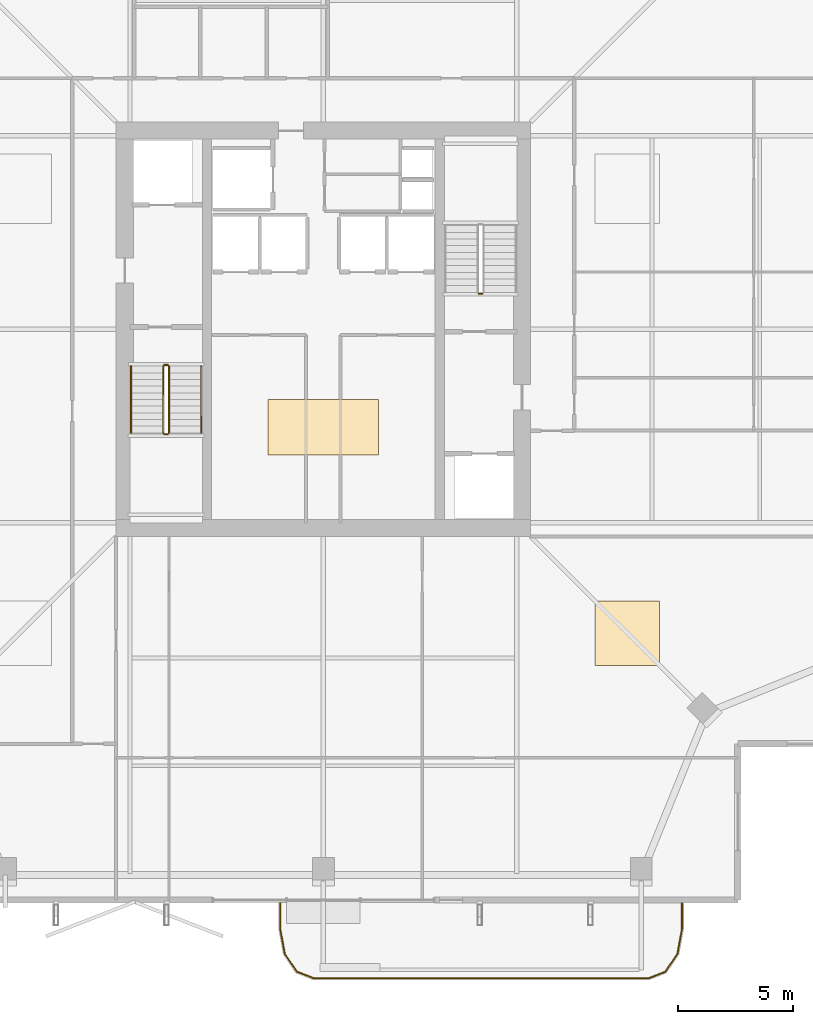
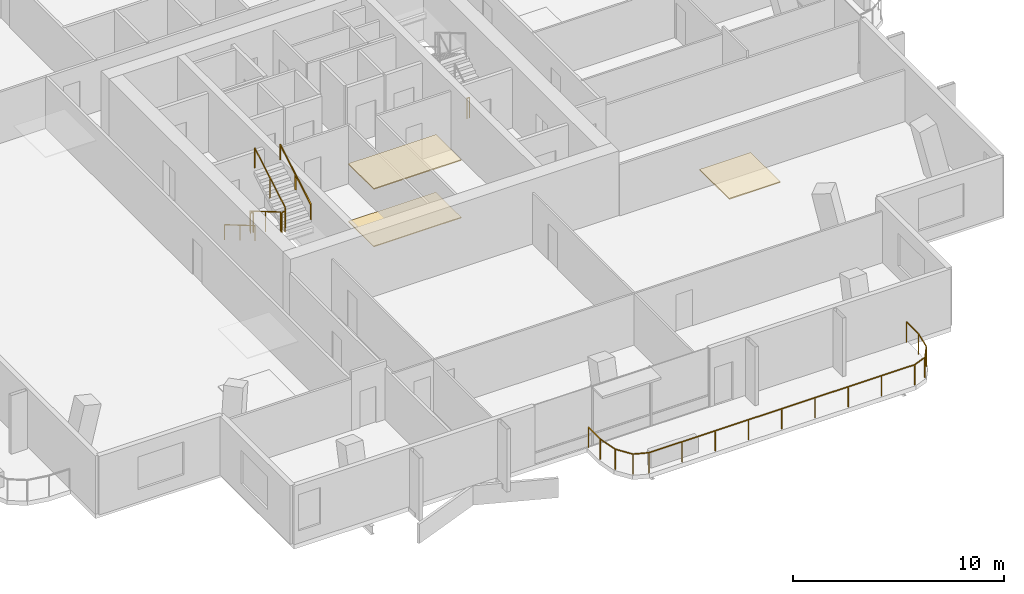
# One storey, part 23 of 25: 8 railings, 3 coverings.
"""IFC4 building model written with IfcOpenShell, lengths in metres."""

import ifcopenshell
import ifcopenshell.guid

model = None  # the IFC model being written
_history = None  # IfcOwnerHistory: only IFC2X3 demands one
_inside = {}  # id of a spatial element -> (the spatial element, [elements in it])
_under = {}  # id of a project, library or spatial element -> (it, [spatial elements below it])
_declared = {}  # id of a project -> (the project, [libraries it declares])
_typed = {}  # id of a type object -> (the type object, [elements of that type])
_made_of = {}  # id of a material, layer set ... -> (it, [elements and type objects made of it])


def new_model(schema):
    """Start an empty IFC model of exactly this schema.

    Asked for "IFC4X3", IfcOpenShell would pick the latest addendum, in which some entities
    have other attributes; the version numbers below select the first issue.
    IFC2X3 requires an IfcOwnerHistory on every rooted entity: one is made here for all.
    """
    global model, _history
    if schema == "IFC4X3":
        model = ifcopenshell.file(schema_version=(4, 3, 0, 0))
    else:
        model = ifcopenshell.file(schema=schema)
    _inside.clear()
    _under.clear()
    _declared.clear()
    _typed.clear()
    _made_of.clear()
    _history = None
    if model.schema == "IFC2X3":
        org = make("IfcOrganization", Name="unknown")
        user = make(
            "IfcPersonAndOrganization",
            ThePerson=make("IfcPerson", FamilyName="unknown"),
            TheOrganization=org,
        )
        app = make(
            "IfcApplication",
            ApplicationDeveloper=org,
            Version="unknown",
            ApplicationFullName="unknown",
            ApplicationIdentifier="unknown",
        )
        _history = make(
            "IfcOwnerHistory",
            OwningUser=user,
            OwningApplication=app,
            ChangeAction="ADDED",
            CreationDate=0,
        )
    return model


def make(cls, **values):
    """One entity of the class cls with the attributes given. An attribute that is None is left unset."""
    return model.create_entity(
        cls, **{name: value for name, value in values.items() if value is not None}
    )


def rooted(cls, **values):
    """An entity with a GlobalId (a new one), such as an element, a storey or a relation."""
    return make(cls, GlobalId=ifcopenshell.guid.new(), OwnerHistory=_history, **values)


def si_unit(unit_type, name, prefix=None):
    """IfcSIUnit, for example si_unit("LENGTHUNIT", "METRE", prefix="MILLI")."""
    return make("IfcSIUnit", UnitType=unit_type, Prefix=prefix, Name=name)


def assignment(units):
    """IfcUnitAssignment: the units of a project."""
    return None if units is None else make("IfcUnitAssignment", Units=units)


def point(xyz):
    """IfcCartesianPoint."""
    return None if xyz is None else make("IfcCartesianPoint", Coordinates=xyz)


def direction(xyz):
    """IfcDirection."""
    return None if xyz is None else make("IfcDirection", DirectionRatios=xyz)


def frame(location, z_axis=None, x_axis=None):
    """IfcAxis2Placement3D, a coordinate frame: its origin and axes. An axis left out is left unset."""
    return make(
        "IfcAxis2Placement3D",
        Location=point(location),
        Axis=direction(z_axis),
        RefDirection=direction(x_axis),
    )


def frame_2d(location, x_axis=None):
    """IfcAxis2Placement2D, a coordinate frame in the plane: its origin and x axis."""
    return make(
        "IfcAxis2Placement2D", Location=point(location), RefDirection=direction(x_axis)
    )


def origin():
    """The frame at (0, 0, 0) with its axes left unset."""
    return frame((0.0, 0.0, 0.0))


def origin_2d():
    """The frame at (0, 0) in the plane with its x axis left unset."""
    return frame_2d((0.0, 0.0))


def place(relative_to, where):
    """IfcLocalPlacement: puts the frame where relative to a parent placement (None: the world)."""
    return make(
        "IfcLocalPlacement", PlacementRelTo=relative_to, RelativePlacement=where
    )


def context(
    kind, dimensions, precision=None, world=None, true_north=None, identifier=None
):
    """IfcGeometricRepresentationContext, for example the 3D "Model" context."""
    return make(
        "IfcGeometricRepresentationContext",
        ContextIdentifier=identifier,
        ContextType=kind,
        CoordinateSpaceDimension=dimensions,
        Precision=precision,
        WorldCoordinateSystem=world,
        TrueNorth=true_north,
    )


def subcontext(parent, identifier, kind, view, scale=None):
    """IfcGeometricRepresentationSubContext, for example "Body" below "Model"."""
    return make(
        "IfcGeometricRepresentationSubContext",
        ContextIdentifier=identifier,
        ContextType=kind,
        ParentContext=parent,
        TargetScale=scale,
        TargetView=view,
    )


def project(units=None, contexts=None):
    """IfcProject with its units and contexts."""
    return rooted(
        "IfcProject",
        Name="project",
        RepresentationContexts=contexts,
        UnitsInContext=assignment(units),
    )


def spatial(cls, under=None, at=None, **own):
    """A site, building, storey or space (cls), placed at a placement, below another one or the project."""
    s = rooted(cls, ObjectPlacement=at, **own)
    if under is not None:
        _under.setdefault(under.id(), (under, []))[1].append(s)
    return s


def polyline(points):
    """IfcPolyline through the points."""
    return make("IfcPolyline", Points=[point(p) for p in points])


def profile(cls, at=None, kind="AREA", **sizes):
    """A parametric profile (cls). Its sizes go by their IFC names, for example OverallWidth=200.0."""
    return make(cls, ProfileType=kind, Position=at, **sizes)


def rectangle(**sizes):
    """IfcRectangleProfileDef."""
    return profile("IfcRectangleProfileDef", **sizes)


def outline(outer, holes=None, kind="AREA"):
    """IfcArbitraryClosedProfileDef: a profile drawn as a closed curve; with holes, ...WithVoids."""
    if holes is None:
        return make("IfcArbitraryClosedProfileDef", ProfileType=kind, OuterCurve=outer)
    return make(
        "IfcArbitraryProfileDefWithVoids",
        ProfileType=kind,
        OuterCurve=outer,
        InnerCurves=holes,
    )


def extrude(swept, where, along, depth):
    """IfcExtrudedAreaSolid: the profile swept, set in the frame where, extruded along a direction by depth."""
    return make(
        "IfcExtrudedAreaSolid",
        SweptArea=swept,
        Position=where,
        ExtrudedDirection=direction(along),
        Depth=depth,
    )


def shape(context_of_items, identifier, shape_type, items):
    """IfcShapeRepresentation: the items that make up one representation, for example the "Body"."""
    return make(
        "IfcShapeRepresentation",
        ContextOfItems=context_of_items,
        RepresentationIdentifier=identifier,
        RepresentationType=shape_type,
        Items=items,
    )


def material(Name=None, Category=None):
    """IfcMaterial."""
    return make("IfcMaterial", Name=Name, Category=Category)


def layer(
    of_material, thickness, ventilated=None, Name=None, Category=None, Priority=None
):
    """IfcMaterialLayer: one layer of a wall or slab, of a material (None: an air gap)."""
    return make(
        "IfcMaterialLayer",
        Material=of_material,
        LayerThickness=thickness,
        IsVentilated=ventilated,
        Name=Name,
        Category=Category,
        Priority=Priority,
    )


def layer_set(layers, Name=None):
    """IfcMaterialLayerSet."""
    return make("IfcMaterialLayerSet", MaterialLayers=layers, LayerSetName=Name)


def made_of(thing, what):
    """Note that an element or type object is made of a material, layer set ...; save() writes the relation."""
    if what is not None:
        _made_of.setdefault(what.id(), (what, []))[1].append(thing)
    return thing


def type_object(cls, material=None, **own):
    """A type object (cls), such as IfcWallType, which elements share."""
    return made_of(rooted(cls, **own), material)


def element(
    cls,
    number,
    at=None,
    inside=None,
    cuts=None,
    type_object=None,
    material=None,
    context=None,
    identifier="Body",
    shape_type=None,
    held_by="IfcProductDefinitionShape",
    body=None,
    shapes=None,
    **own,
):
    """One element of the class cls, such as IfcWall. Its Tag is "e" and its number.

    at: its placement. inside: the storey or other place that contains it. cuts: it is an
    opening in that element (IfcRelVoidsElement). A single representation is given by context,
    identifier, shape_type and body (its items); several are given by shapes. held_by: the class
    of the entity that holds the representations. save() writes the other relations.
    """
    e = rooted(cls, Tag="e%d" % number, ObjectPlacement=at, **own)
    if body is not None:
        shapes = [shape(context, identifier, shape_type, body)]
    if shapes is not None:
        e.Representation = make(held_by, Representations=shapes)
    if inside is not None:
        _inside.setdefault(inside.id(), (inside, []))[1].append(e)
    if cuts is not None:
        rooted(
            "IfcRelVoidsElement", RelatingBuildingElement=cuts, RelatedOpeningElement=e
        )
    if type_object is not None:
        _typed.setdefault(type_object.id(), (type_object, []))[1].append(e)
    return made_of(e, material)


def aggregate(whole, parts):
    """IfcRelAggregates: a whole, such as a stair, and the parts it consists of."""
    return rooted("IfcRelAggregates", RelatingObject=whole, RelatedObjects=parts)


def save(model, path):
    """Write the relations noted so far, then the file.

    IfcRelAggregates (storeys below a building ...), IfcRelContainedInSpatialStructure (elements
    in a storey), IfcRelDefinesByType, IfcRelAssociatesMaterial and IfcRelDeclares: one each for
    every whole, place, type object, material and project.
    """
    for whole, parts in _under.values():
        aggregate(whole, parts)
    for where, things in _inside.values():
        rooted(
            "IfcRelContainedInSpatialStructure",
            RelatedElements=things,
            RelatingStructure=where,
        )
    for kind, things in _typed.values():
        rooted("IfcRelDefinesByType", RelatedObjects=things, RelatingType=kind)
    for what, things in _made_of.values():
        rooted("IfcRelAssociatesMaterial", RelatedObjects=things, RelatingMaterial=what)
    for by, libraries in _declared.values():
        rooted("IfcRelDeclares", RelatingContext=by, RelatedDefinitions=libraries)
    model.write(path)


model = new_model("IFC4")

# Units and contexts
model_context = context("Model", 3, precision=1e-05, world=origin(), true_north=direction((0.0, 1.0)))
body_context = subcontext(model_context, "Body", "Model", "MODEL_VIEW")
ifc_project = project(units=[si_unit("LENGTHUNIT", "METRE"), si_unit("AREAUNIT", "SQUARE_METRE"), si_unit("VOLUMEUNIT", "CUBIC_METRE"), si_unit("PLANEANGLEUNIT", "RADIAN"), si_unit("MASSUNIT", "GRAM", prefix="KILO")], contexts=[model_context])

# Site, building, storey
site_placement = place(None, origin())
site = spatial("IfcSite", under=ifc_project, at=site_placement, CompositionType="ELEMENT")
building_placement = place(site_placement, origin())
building = spatial("IfcBuilding", under=site, at=building_placement, Name="Belovzor Exchange Tower", CompositionType="ELEMENT")
storey_placement = place(building_placement, frame((0.0, 0.0, 280.35009765625)))
storey = spatial("IfcBuildingStorey", under=building, at=storey_placement, Name="L70", CompositionType="ELEMENT", Elevation=280.35009765625)

# Railings
ifc_material_1 = material(Name="Stainless Steel Grade 304", Category="steel")
railing_type_1 = type_object("IfcRailingType", Name="Brushed Stainless Steel Stair Handrail 900", PredefinedType="HANDRAIL", material=ifc_material_1)
railing_1_placement = place(storey_placement, frame((20.449951171875, 27.199951171875, 0.17041015625)))
element("IfcRailing", 1, at=railing_1_placement, inside=storey, type_object=railing_type_1, Name="L70 ST-1 stair handrail 1", PredefinedType="HANDRAIL", context=body_context, shape_type="SweptSolid", body=[
    extrude(rectangle(XDim=0.048095703125, YDim=0.048095703125, at=origin_2d()), frame((0.0, 0.0, 0.8759765625), z_axis=(0.0, -0.86209462966, 0.506747323142), x_axis=(1.0, 0.0, 0.0)), (0.0, 0.0, 1.0), 3.36376953125),
    extrude(rectangle(XDim=0.0419921875, YDim=0.0419921875, at=origin_2d()), origin(), (0.0, 0.0, 1.0), 0.851806640625),
    extrude(rectangle(XDim=0.0419921875, YDim=0.0419921875, at=origin_2d()), frame((0.0, -1.449951171875, 0.852294921875)), (0.0, 0.0, 1.0), 0.851806640625),
    extrude(rectangle(XDim=0.0419921875, YDim=0.0419921875, at=origin_2d()), frame((0.0, -2.89990234375, 1.70458984375)), (0.0, 0.0, 1.0), 0.851806640625),
])
railing_2_placement = place(storey_placement, frame((23.5, 24.300048828125, 2.04541015625)))
element("IfcRailing", 2, at=railing_2_placement, inside=storey, type_object=railing_type_1, Name="L70 ST-1 stair handrail 2", PredefinedType="HANDRAIL", context=body_context, shape_type="SweptSolid", body=[
    extrude(rectangle(XDim=0.048095703125, YDim=0.048095703125, at=origin_2d()), frame((0.0, 0.0, 0.8759765625), z_axis=(0.0, 0.86209462966, 0.506747323142), x_axis=(-1.0, 0.0, 0.0)), (0.0, 0.0, 1.0), 3.36376953125),
    extrude(rectangle(XDim=0.0419921875, YDim=0.0419921875, at=origin_2d()), origin(), (0.0, 0.0, 1.0), 0.851806640625),
    extrude(rectangle(XDim=0.0419921875, YDim=0.0419921875, at=origin_2d()), frame((0.0, 1.449951171875, 0.852294921875)), (0.0, 0.0, 1.0), 0.851806640625),
    extrude(rectangle(XDim=0.0419921875, YDim=0.0419921875, at=origin_2d()), frame((0.0, 2.89990234375, 1.70458984375)), (0.0, 0.0, 1.0), 0.851806640625),
])
ifc_material_2 = material(Name="Stainless Steel and Laminated Safety Glass", Category="steel")
railing_type_2 = type_object("IfcRailingType", Name="Laminated Glass & Stainless Steel Balcony Balustrade 1200", PredefinedType="BALUSTRADE", material=ifc_material_2)
railing_3_placement = place(storey_placement, frame((26.929931640625, 3.889892578125, 0.0)))
element("IfcRailing", 3, at=railing_3_placement, inside=storey, type_object=railing_type_2, Name="GR-1 Balcony Balustrade L70 South", PredefinedType="BALUSTRADE", context=body_context, shape_type="SweptSolid", body=[
    extrude(rectangle(XDim=0.048095703125, YDim=0.048095703125, at=origin_2d()), frame((0.0, 0.0, 1.17578125), z_axis=(0.0, -1.0, 0.0), x_axis=(1.0, 0.0, 0.0)), (0.0, 0.0, 1.0), 1.1328125),
    extrude(rectangle(XDim=0.048095703125, YDim=0.048095703125, at=origin_2d()), frame((0.0, -1.1328125, 1.17578125), z_axis=(0.180083182347, -0.983651385113, 0.0), x_axis=(0.983651385113, 0.180083182347, 0.0)), (0.0, 0.0, 1.0), 1.093994140625),
    extrude(rectangle(XDim=0.048095703125, YDim=0.048095703125, at=origin_2d()), frame((0.197021484375, -2.208984375, 1.17578125), z_axis=(0.56294695933, -0.826493025367, 0.0), x_axis=(0.826493025367, 0.56294695933, 0.0)), (0.0, 0.0, 1.0), 0.932861328125),
    extrude(rectangle(XDim=0.048095703125, YDim=0.048095703125, at=origin_2d()), frame((0.72216796875, -2.97998046875, 1.17578125), z_axis=(0.930766990125, -0.365612923861, 0.0), x_axis=(0.365612923861, 0.930766990125, 0.0)), (0.0, 0.0, 1.0), 0.765869140625),
    extrude(rectangle(XDim=0.048095703125, YDim=0.048095703125, at=origin_2d()), frame((1.43505859375, -3.260009765625, 1.17578125), z_axis=(1.0, 0.0, 0.0), x_axis=(0.0, 1.0, 0.0)), (0.0, 0.0, 1.0), 14.570068359375),
    extrude(rectangle(XDim=0.048095703125, YDim=0.048095703125, at=origin_2d()), frame((16.005126953125, -3.260009765625, 1.17578125), z_axis=(0.930766990125, 0.365612923861, 0.0), x_axis=(-0.365612923861, 0.930766990125, 0.0)), (0.0, 0.0, 1.0), 0.765869140625),
    extrude(rectangle(XDim=0.048095703125, YDim=0.048095703125, at=origin_2d()), frame((16.718017578125, -2.97998046875, 1.17578125), z_axis=(0.56294695933, 0.826493025367, 0.0), x_axis=(-0.826493025367, 0.56294695933, 0.0)), (0.0, 0.0, 1.0), 0.932861328125),
    extrude(rectangle(XDim=0.048095703125, YDim=0.048095703125, at=origin_2d()), frame((17.2431640625, -2.208984375, 1.17578125), z_axis=(0.180083182347, 0.983651385113, 0.0), x_axis=(-0.983651385113, 0.180083182347, 0.0)), (0.0, 0.0, 1.0), 1.093994140625),
    extrude(rectangle(XDim=0.048095703125, YDim=0.048095703125, at=origin_2d()), frame((17.440185546875, -1.1328125, 1.17578125), z_axis=(0.0, 1.0, 0.0), x_axis=(-1.0, 0.0, 0.0)), (0.0, 0.0, 1.0), 1.1328125),
    extrude(rectangle(XDim=0.0419921875, YDim=0.0419921875, at=origin_2d()), origin(), (0.0, 0.0, 1.0), 1.15185546875),
    extrude(rectangle(XDim=0.0419921875, YDim=0.0419921875, at=origin_2d()), frame((0.0, -1.1328125, 0.0)), (0.0, 0.0, 1.0), 1.15185546875),
    extrude(rectangle(XDim=0.0419921875, YDim=0.0419921875, at=origin_2d()), frame((0.197021484375, -2.208984375, 0.0)), (0.0, 0.0, 1.0), 1.15185546875),
    extrude(rectangle(XDim=0.0419921875, YDim=0.0419921875, at=origin_2d()), frame((0.72216796875, -2.97998046875, 0.0)), (0.0, 0.0, 1.0), 1.15185546875),
    extrude(rectangle(XDim=0.0419921875, YDim=0.0419921875, at=origin_2d()), frame((1.43505859375, -3.260009765625, 0.0)), (0.0, 0.0, 1.0), 1.15185546875),
    extrude(rectangle(XDim=0.0419921875, YDim=0.0419921875, at=origin_2d()), frame((3.25634765625, -3.260009765625, 0.0)), (0.0, 0.0, 1.0), 1.15185546875),
    extrude(rectangle(XDim=0.0419921875, YDim=0.0419921875, at=origin_2d()), frame((5.07763671875, -3.260009765625, 0.0)), (0.0, 0.0, 1.0), 1.15185546875),
    extrude(rectangle(XDim=0.0419921875, YDim=0.0419921875, at=origin_2d()), frame((6.89892578125, -3.260009765625, 0.0)), (0.0, 0.0, 1.0), 1.15185546875),
    extrude(rectangle(XDim=0.0419921875, YDim=0.0419921875, at=origin_2d()), frame((8.72021484375, -3.260009765625, 0.0)), (0.0, 0.0, 1.0), 1.15185546875),
    extrude(rectangle(XDim=0.0419921875, YDim=0.0419921875, at=origin_2d()), frame((10.541259765625, -3.260009765625, 0.0)), (0.0, 0.0, 1.0), 1.15185546875),
    extrude(rectangle(XDim=0.0419921875, YDim=0.0419921875, at=origin_2d()), frame((12.362548828125, -3.260009765625, 0.0)), (0.0, 0.0, 1.0), 1.15185546875),
    extrude(rectangle(XDim=0.0419921875, YDim=0.0419921875, at=origin_2d()), frame((14.183837890625, -3.260009765625, 0.0)), (0.0, 0.0, 1.0), 1.15185546875),
    extrude(rectangle(XDim=0.0419921875, YDim=0.0419921875, at=origin_2d()), frame((16.005126953125, -3.260009765625, 0.0)), (0.0, 0.0, 1.0), 1.15185546875),
    extrude(rectangle(XDim=0.0419921875, YDim=0.0419921875, at=origin_2d()), frame((16.718017578125, -2.97998046875, 0.0)), (0.0, 0.0, 1.0), 1.15185546875),
    extrude(rectangle(XDim=0.0419921875, YDim=0.0419921875, at=origin_2d()), frame((17.2431640625, -2.208984375, 0.0)), (0.0, 0.0, 1.0), 1.15185546875),
    extrude(rectangle(XDim=0.0419921875, YDim=0.0419921875, at=origin_2d()), frame((17.440185546875, -1.1328125, 0.0)), (0.0, 0.0, 1.0), 1.15185546875),
    extrude(rectangle(XDim=0.0419921875, YDim=0.0419921875, at=origin_2d()), frame((17.440185546875, 0.0, 0.0)), (0.0, 0.0, 1.0), 1.15185546875),
])
ifc_material_3 = material(Name="Steel S355", Category="steel")
railing_type_3 = type_object("IfcRailingType", Name="Painted Steel Stairwell Guardrail 1200", PredefinedType="GUARDRAIL", material=ifc_material_3)
railing_4_placement = place(storey_placement, frame((21.85009765625, 27.199951171875, 0.17041015625)))
element("IfcRailing", 4, at=railing_4_placement, inside=storey, type_object=railing_type_3, Name="L70 ST-1 stair guard 1", PredefinedType="GUARDRAIL", context=body_context, shape_type="SweptSolid", body=[
    extrude(rectangle(XDim=0.048095703125, YDim=0.048095703125, at=origin_2d()), frame((0.0, 0.0, 1.17578125), z_axis=(0.0, -0.86209462966, 0.506747323142), x_axis=(1.0, 0.0, 0.0)), (0.0, 0.0, 1.0), 3.36376953125),
    extrude(rectangle(XDim=0.0419921875, YDim=0.0419921875, at=origin_2d()), origin(), (0.0, 0.0, 1.0), 1.15185546875),
    extrude(rectangle(XDim=0.0419921875, YDim=0.0419921875, at=origin_2d()), frame((0.0, -1.449951171875, 0.852294921875)), (0.0, 0.0, 1.0), 1.15185546875),
    extrude(rectangle(XDim=0.0419921875, YDim=0.0419921875, at=origin_2d()), frame((0.0, -2.89990234375, 1.70458984375)), (0.0, 0.0, 1.0), 1.15185546875),
])
railing_5_placement = place(storey_placement, frame((21.89990234375, 24.25, 1.875)))
element("IfcRailing", 5, at=railing_5_placement, inside=storey, type_object=railing_type_3, Name="L70 ST-1 stair guard 2", PredefinedType="GUARDRAIL", context=body_context, shape_type="SweptSolid", body=[
    extrude(rectangle(XDim=0.048095703125, YDim=0.048095703125, at=origin_2d()), frame((0.0, 0.0, 1.17578125), z_axis=(1.0, 0.0, 0.0), x_axis=(0.0, 1.0, 0.0)), (0.0, 0.0, 1.0), 0.150146484375),
    extrude(rectangle(XDim=0.0419921875, YDim=0.0419921875, at=origin_2d()), origin(), (0.0, 0.0, 1.0), 1.15185546875),
    extrude(rectangle(XDim=0.0419921875, YDim=0.0419921875, at=origin_2d()), frame((0.150146484375, 0.0, 0.0)), (0.0, 0.0, 1.0), 1.15185546875),
])
railing_6_placement = place(storey_placement, frame((22.10009765625, 24.300048828125, 2.04541015625)))
element("IfcRailing", 6, at=railing_6_placement, inside=storey, type_object=railing_type_3, Name="L70 ST-1 stair guard 3", PredefinedType="GUARDRAIL", context=body_context, shape_type="SweptSolid", body=[
    extrude(rectangle(XDim=0.048095703125, YDim=0.048095703125, at=origin_2d()), frame((0.0, 0.0, 1.17578125), z_axis=(0.0, 0.86209462966, 0.506747323142), x_axis=(-1.0, 0.0, 0.0)), (0.0, 0.0, 1.0), 3.36376953125),
    extrude(rectangle(XDim=0.0419921875, YDim=0.0419921875, at=origin_2d()), origin(), (0.0, 0.0, 1.0), 1.15185546875),
    extrude(rectangle(XDim=0.0419921875, YDim=0.0419921875, at=origin_2d()), frame((0.0, 1.449951171875, 0.852294921875)), (0.0, 0.0, 1.0), 1.15185546875),
    extrude(rectangle(XDim=0.0419921875, YDim=0.0419921875, at=origin_2d()), frame((0.0, 2.89990234375, 1.70458984375)), (0.0, 0.0, 1.0), 1.15185546875),
])
railing_7_placement = place(storey_placement, frame((21.89990234375, 27.25, 0.0)))
element("IfcRailing", 7, at=railing_7_placement, inside=storey, type_object=railing_type_3, Name="L70 ST-1 stair guard 4", PredefinedType="GUARDRAIL", context=body_context, shape_type="SweptSolid", body=[
    extrude(rectangle(XDim=0.048095703125, YDim=0.048095703125, at=origin_2d()), frame((0.0, 0.0, 1.17578125), z_axis=(1.0, 0.0, 0.0), x_axis=(0.0, 1.0, 0.0)), (0.0, 0.0, 1.0), 0.150146484375),
    extrude(rectangle(XDim=0.0419921875, YDim=0.0419921875, at=origin_2d()), origin(), (0.0, 0.0, 1.0), 1.15185546875),
    extrude(rectangle(XDim=0.0419921875, YDim=0.0419921875, at=origin_2d()), frame((0.150146484375, 0.0, 0.0)), (0.0, 0.0, 1.0), 1.15185546875),
])
railing_8_placement = place(storey_placement, frame((35.699951171875, 30.35009765625, 0.0)))
element("IfcRailing", 8, at=railing_8_placement, inside=storey, type_object=railing_type_3, Name="L70 ST-2 stair guard 4", PredefinedType="GUARDRAIL", context=body_context, shape_type="SweptSolid", body=[
    extrude(rectangle(XDim=0.048095703125, YDim=0.048095703125, at=origin_2d()), frame((0.0, 0.0, 1.17578125), z_axis=(-1.0, 0.0, 0.0), x_axis=(0.0, -1.0, 0.0)), (0.0, 0.0, 1.0), 0.14990234375),
    extrude(rectangle(XDim=0.0419921875, YDim=0.0419921875, at=origin_2d()), origin(), (0.0, 0.0, 1.0), 1.15185546875),
    extrude(rectangle(XDim=0.0419921875, YDim=0.0419921875, at=origin_2d()), frame((-0.14990234375, 0.0, 0.0)), (0.0, 0.0, 1.0), 1.15185546875),
])

# Coverings
ifc_material_4 = material(Name="Perforated Powder-Coated Aluminium", Category="aluminium")
ifc_layer_1 = layer(ifc_material_4, 0.06005859375)
ifc_layer_set_1 = layer_set([ifc_layer_1], Name="Perforated Powder-Coated Aluminium")
covering_type_1 = type_object("IfcCoveringType", Name="Perforated Acoustic Metal Tile Suspended Ceiling 60", PredefinedType="CEILING", material=ifc_layer_set_1)
covering_1_placement = place(storey_placement, frame((0.0, 0.0, 3.329833984375)))
element("IfcCovering", 9, at=covering_1_placement, inside=storey, type_object=covering_type_1, Name="CLG-AC60 Suspended Ceiling CLG-L70-LOB", PredefinedType="CEILING", context=body_context, shape_type="SweptSolid", body=[
    extrude(outline(polyline([(26.39990234375, 23.35009765625), (31.199951171875, 23.35009765625), (31.199951171875, 25.75), (26.39990234375, 25.75), (26.39990234375, 23.35009765625)])), origin(), (0.0, 0.0, 1.0), 0.06005859375),
])
covering_2_placement = place(storey_placement, frame((0.0, 0.0, 3.329833984375)))
element("IfcCovering", 10, at=covering_2_placement, inside=storey, type_object=covering_type_1, Name="CLG-AC60 Suspended Ceiling CLG-L70-Z1", PredefinedType="CEILING", context=body_context, shape_type="SweptSolid", body=[
    extrude(outline(polyline([(40.60009765625, 14.199951171875), (43.39990234375, 14.199951171875), (43.39990234375, 17.0), (40.60009765625, 17.0), (40.60009765625, 14.199951171875)])), origin(), (0.0, 0.0, 1.0), 0.06005859375),
])
ifc_material_5 = material(Name="Polished Natural Granite Tile", Category="masonry")
ifc_layer_2 = layer(ifc_material_5, 0.050048828125)
ifc_layer_set_2 = layer_set([ifc_layer_2], Name="Polished Natural Granite Tile")
covering_type_2 = type_object("IfcCoveringType", Name="Polished Karelian Granite & Raised Access Floor Finish 50", PredefinedType="FLOORING", material=ifc_layer_set_2)
covering_3_placement = place(storey_placement, origin())
element("IfcCovering", 11, at=covering_3_placement, inside=storey, type_object=covering_type_2, Name="FLR-GR50 Floor Finish FLR-L70-LOB", PredefinedType="FLOORING", context=body_context, shape_type="SweptSolid", body=[
    extrude(outline(polyline([(26.39990234375, 23.35009765625), (31.199951171875, 23.35009765625), (31.199951171875, 25.75), (26.39990234375, 25.75), (26.39990234375, 23.35009765625)])), origin(), (0.0, 0.0, 1.0), 0.0498046875),
])

save(model, "model.ifc")
